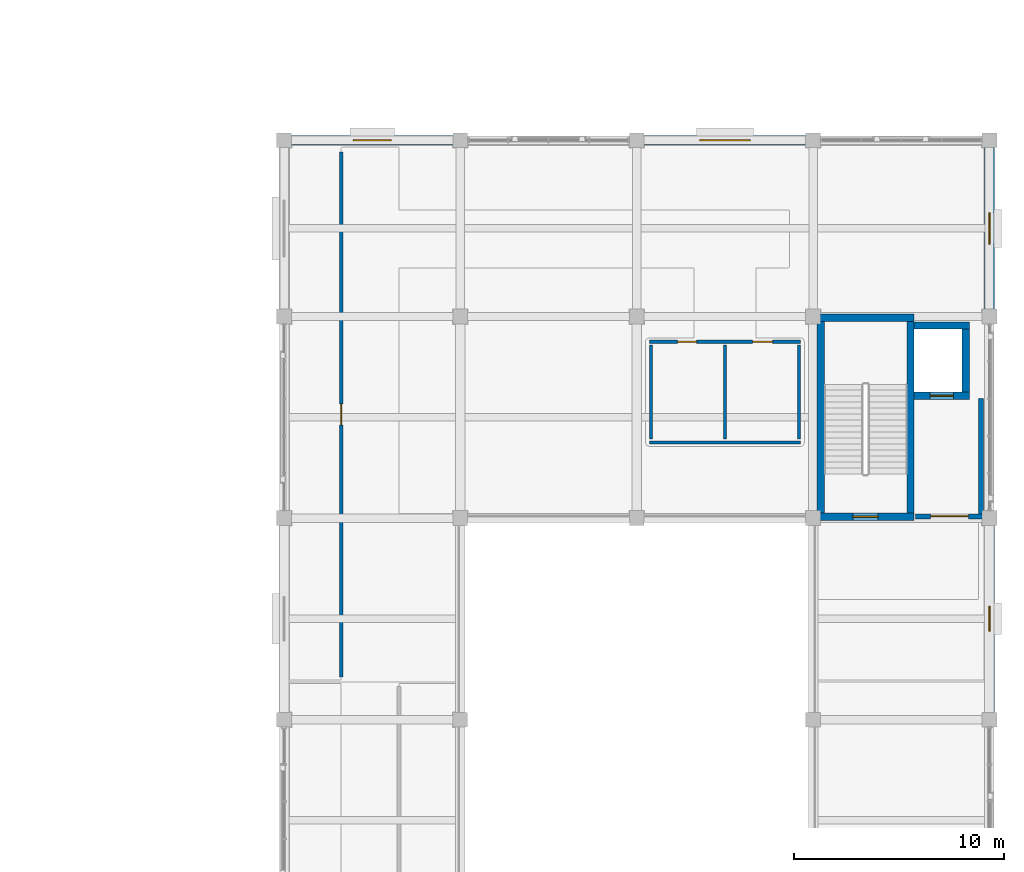
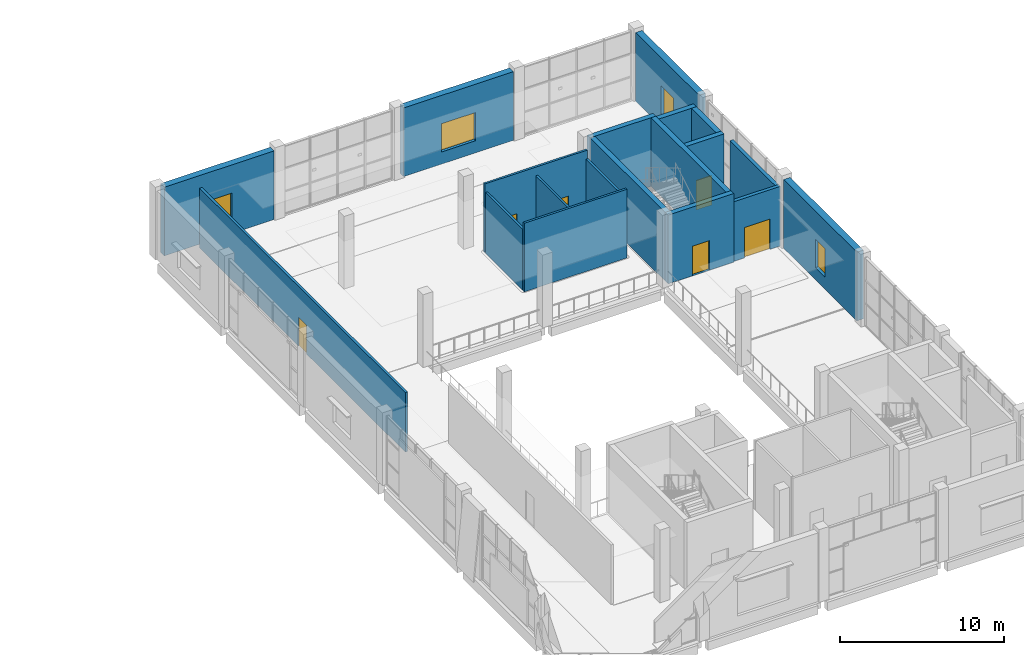
# One storey, part 51 of 72: 19 walls, 6 doors, 4 windows, 10 openings.
"""IFC4 building model written with IfcOpenShell, lengths in metres."""

from ifc_helpers import new_model, si_unit, direction, frame, frame_2d, origin, place, context, subcontext, project, spatial, rectangle, extrude, material, layer, layer_set, type_object, element, fill, save


model = new_model("IFC4")

# Units and contexts
model_context = context("Model", 3, precision=1e-05, world=origin(), true_north=direction((0.0, 1.0)))
body_context = subcontext(model_context, "Body", "Model", "MODEL_VIEW")
ifc_project = project(units=[si_unit("LENGTHUNIT", "METRE"), si_unit("AREAUNIT", "SQUARE_METRE"), si_unit("VOLUMEUNIT", "CUBIC_METRE"), si_unit("PLANEANGLEUNIT", "RADIAN"), si_unit("MASSUNIT", "GRAM", prefix="KILO")], contexts=[model_context])

# Site, building, storey
site_placement = place(None, origin())
site = spatial("IfcSite", under=ifc_project, at=site_placement, CompositionType="ELEMENT")
building_placement = place(site_placement, origin())
building = spatial("IfcBuilding", under=site, at=building_placement, Name="Shalvenor Court Art Gallery", CompositionType="ELEMENT")
storey_placement = place(building_placement, frame((0.0, 0.0, 11.39990234375)))
storey = spatial("IfcBuildingStorey", under=building, at=storey_placement, Name="L02", CompositionType="ELEMENT", Elevation=11.39990234375)

# Walls
ifc_material_1 = material(Name="Concrete C40/50", Category="concrete")
ifc_layer_1 = layer(ifc_material_1, 0.35009765625, Name="Concrete C40/50")
ifc_layer_set_1 = layer_set([ifc_layer_1], Name="Concrete C40/50")
wall_type_1 = type_object("IfcWallType", Name="CW-W1", PredefinedType="SHEAR", material=ifc_layer_set_1)
wall_1_placement = place(storey_placement, frame((168.18798828125, 88.737060546875, 0.0), z_axis=(0.0, 0.0, 1.0), x_axis=(1.0, 0.0, 0.0)))
element("IfcWall", 1, at=wall_1_placement, inside=storey, type_object=wall_type_1, Name="L02 C1 Stair Core Shear Wall N", PredefinedType="SHEAR", context=body_context, shape_type="SweptSolid", body=[
    extrude(rectangle(XDim=4.6240234375, YDim=0.35009765625, at=frame_2d((2.31201171875, 0.0))), origin(), (0.0, 0.0, 1.0), 5.10009765625),
])
wall_2_placement = place(storey_placement, frame((172.636962890625, 88.56201171875, 0.0), z_axis=(0.0, 0.0, 1.0), x_axis=(0.0, -1.0, 0.0)))
element("IfcWall", 2, at=wall_2_placement, inside=storey, type_object=wall_type_1, Name="L02 C1 Stair Core Shear Wall E", PredefinedType="SHEAR", context=body_context, shape_type="SweptSolid", body=[
    extrude(rectangle(XDim=9.1240234375, YDim=0.35009765625, at=frame_2d((4.56201171875, 0.0))), origin(), (0.0, 0.0, 1.0), 5.10009765625),
])

# Wall, opening, door
wall_3_placement = place(storey_placement, frame((172.81201171875, 79.262939453125, 0.0), z_axis=(0.0, 0.0, 1.0), x_axis=(-1.0, 0.0, 0.0)))
wall_3 = element("IfcWall", 3, at=wall_3_placement, inside=storey, type_object=wall_type_1, Name="L02 C1 Stair Core Shear Wall S", PredefinedType="SHEAR", context=body_context, shape_type="SweptSolid", body=[
    extrude(rectangle(XDim=4.6240234375, YDim=0.35009765625, at=frame_2d((2.31201171875, 0.0))), origin(), (0.0, 0.0, 1.0), 5.10009765625),
])
opening_1_placement = place(wall_3_placement, frame((1.7119140625, 0.0, 0.0)))
opening_1 = element("IfcOpeningElement", 4, at=opening_1_placement, cuts=wall_3, Name="Opening FD-01", PredefinedType="OPENING", context=body_context, shape_type="SweptSolid", body=[
    extrude(rectangle(XDim=1.199951171875, YDim=2.199951171875, at=frame_2d((0.60009765625, 1.10009765625))), frame((0.0, 0.18505859375, 0.0), z_axis=(0.0, -1.0, 0.0), x_axis=(1.0, 0.0, 0.0)), (0.0, 0.0, 1.0), 0.3701171875),
])
ifc_material_2 = material(Name="Fire-rated steel stair doorset", Category="steel")
door_type_1 = type_object("IfcDoorType", Name="FD-01", OperationType="NOTDEFINED", PredefinedType="DOOR", material=ifc_material_2)
door_1_placement = place(opening_1_placement, origin())
door_1 = element("IfcDoor", 5, at=door_1_placement, inside=storey, type_object=door_type_1, Name="DR-ST-L02-C1 L02 ST-01 Fire Stair Door", OperationType="SINGLE_SWING_LEFT", OverallHeight=2.199951171875, OverallWidth=1.199951171875, PredefinedType="DOOR", context=body_context, shape_type="SweptSolid", body=[
    extrude(rectangle(XDim=1.199951171875, YDim=2.199951171875, at=frame_2d((0.60009765625, 1.10009765625))), frame((0.0, 0.02490234375, 0.0), z_axis=(0.0, -1.0, 0.0), x_axis=(1.0, 0.0, 0.0)), (0.0, 0.0, 1.0), 0.050048828125),
])
fill(opening_1, door_1)

# Walls
wall_4_placement = place(storey_placement, frame((168.363037109375, 79.43798828125, 0.0), z_axis=(0.0, 0.0, 1.0), x_axis=(0.0, 1.0, 0.0)))
element("IfcWall", 6, at=wall_4_placement, inside=storey, type_object=wall_type_1, Name="L02 C1 Stair Core Shear Wall W", PredefinedType="SHEAR", context=body_context, shape_type="SweptSolid", body=[
    extrude(rectangle(XDim=9.1240234375, YDim=0.35009765625, at=frame_2d((4.56201171875, 0.0))), origin(), (0.0, 0.0, 1.0), 5.10009765625),
])
wall_5_placement = place(storey_placement, frame((172.81201171875, 88.375, 0.0), z_axis=(0.0, 0.0, 1.0), x_axis=(1.0, 0.0, 0.0)))
element("IfcWall", 7, at=wall_5_placement, inside=storey, type_object=wall_type_1, Name="L02 FL-01 Lift Shaft Wall N", PredefinedType="SHEAR", context=body_context, shape_type="SweptSolid", body=[
    extrude(rectangle(XDim=2.637939453125, YDim=0.35009765625, at=frame_2d((1.31884765625, 0.0))), origin(), (0.0, 0.0, 1.0), 5.10009765625),
])
wall_6_placement = place(storey_placement, frame((175.27490234375, 88.199951171875, 0.0), z_axis=(0.0, 0.0, 1.0), x_axis=(0.0, -1.0, 0.0)))
element("IfcWall", 8, at=wall_6_placement, inside=storey, type_object=wall_type_1, Name="L02 FL-01 Lift Shaft Wall E", PredefinedType="SHEAR", context=body_context, shape_type="SweptSolid", body=[
    extrude(rectangle(XDim=3.0, YDim=0.35009765625, at=frame_2d((1.5, 0.0))), origin(), (0.0, 0.0, 1.0), 5.10009765625),
])

# Wall, opening, door
wall_7_placement = place(storey_placement, frame((175.449951171875, 85.02490234375, 0.0), z_axis=(0.0, 0.0, 1.0), x_axis=(-1.0, 0.0, 0.0)))
wall_7 = element("IfcWall", 9, at=wall_7_placement, inside=storey, type_object=wall_type_1, Name="L02 FL-01 Lift Shaft Wall S", PredefinedType="SHEAR", context=body_context, shape_type="SweptSolid", body=[
    extrude(rectangle(XDim=2.637939453125, YDim=0.35009765625, at=frame_2d((1.31884765625, 0.0))), origin(), (0.0, 0.0, 1.0), 5.10009765625),
])
opening_2_placement = place(wall_7_placement, frame((0.76904296875, 0.0, 0.0)))
opening_2 = element("IfcOpeningElement", 10, at=opening_2_placement, cuts=wall_7, Name="Opening LD-01", PredefinedType="OPENING", context=body_context, shape_type="SweptSolid", body=[
    extrude(rectangle(XDim=1.10009765625, YDim=2.199951171875, at=frame_2d((0.550048828125, 1.10009765625))), frame((0.0, 0.18505859375, 0.0), z_axis=(0.0, -1.0, 0.0), x_axis=(1.0, 0.0, 0.0)), (0.0, 0.0, 1.0), 0.3701171875),
])
ifc_material_3 = material(Name="Stainless steel firefighting lift sliding landing door", Category="steel")
door_type_2 = type_object("IfcDoorType", Name="LD-01", OperationType="NOTDEFINED", PredefinedType="DOOR", material=ifc_material_3)
door_2_placement = place(opening_2_placement, origin())
door_2 = element("IfcDoor", 11, at=door_2_placement, inside=storey, type_object=door_type_2, Name="DR-LD-L02-FL-01 L02 FL-01 Lift Landing Sliding Door", OperationType="DOUBLE_DOOR_SLIDING", OverallHeight=2.199951171875, OverallWidth=1.10009765625, PredefinedType="DOOR", context=body_context, shape_type="SweptSolid", body=[
    extrude(rectangle(XDim=1.10009765625, YDim=2.199951171875, at=frame_2d((0.550048828125, 1.10009765625))), frame((0.0, 0.02490234375, 0.0), z_axis=(0.0, -1.0, 0.0), x_axis=(1.0, 0.0, 0.0)), (0.0, 0.0, 1.0), 0.050048828125),
])
fill(opening_2, door_2)

# Wall, opening, window
ifc_material_4 = material(Name="Concrete C40/50", Category="concrete")
ifc_layer_2 = layer(ifc_material_4, 0.4599609375, Name="Concrete C40/50")
ifc_layer_set_2 = layer_set([ifc_layer_2], Name="Concrete C40/50")
wall_type_2 = type_object("IfcWallType", Name="EW-01", PredefinedType="SOLIDWALL", material=ifc_layer_set_2)
wall_8_placement = place(storey_placement, frame((143.14990234375, 97.199951171875, 0.0), z_axis=(0.0, 0.0, 1.0), x_axis=(1.0, 0.0, 0.0)))
wall_8 = element("IfcWall", 12, at=wall_8_placement, inside=storey, type_object=wall_type_2, Name="L02 V1 Exterior Wall WL-L02-0062", PredefinedType="SOLIDWALL", context=body_context, shape_type="SweptSolid", body=[
    extrude(rectangle(XDim=7.7001953125, YDim=0.4599609375, at=frame_2d((3.85009765625, 0.0))), origin(), (0.0, 0.0, 1.0), 5.10009765625),
])
opening_3_placement = place(wall_8_placement, frame((2.949951171875, 0.0, 0.89990234375)))
opening_3 = element("IfcOpeningElement", 13, at=opening_3_placement, cuts=wall_8, Name="Opening WN-05", PredefinedType="OPENING", context=body_context, shape_type="SweptSolid", body=[
    extrude(rectangle(XDim=1.800048828125, YDim=2.10009765625, at=frame_2d((0.89990234375, 1.050048828125))), frame((0.0, 0.239990234375, 0.0), z_axis=(0.0, -1.0, 0.0), x_axis=(1.0, 0.0, 0.0)), (0.0, 0.0, 1.0), 0.47998046875),
])
ifc_material_5 = material(Name="Low-iron solar-control double IGU", Category="glass")
window_type_1 = type_object("IfcWindowType", Name="WN-05", PartitioningType="SINGLE_PANEL", PredefinedType="WINDOW", material=ifc_material_5)
window_1_placement = place(opening_3_placement, origin())
window_1 = element("IfcWindow", 14, at=window_1_placement, inside=storey, type_object=window_type_1, Name="L02 Window WIN-L02-0005", OverallHeight=2.10009765625, OverallWidth=1.800048828125, PartitioningType="SINGLE_PANEL", PredefinedType="WINDOW", context=body_context, shape_type="SweptSolid", body=[
    extrude(rectangle(XDim=1.800048828125, YDim=2.10009765625, at=frame_2d((0.89990234375, 1.050048828125))), frame((0.0, 0.030029296875, 0.0), z_axis=(0.0, -1.0, 0.0), x_axis=(1.0, 0.0, 0.0)), (0.0, 0.0, 1.0), 0.06005859375),
])
fill(opening_3, window_1)

wall_9_placement = place(storey_placement, frame((159.949951171875, 97.199951171875, 0.0), z_axis=(0.0, 0.0, 1.0), x_axis=(1.0, 0.0, 0.0)))
wall_9 = element("IfcWall", 15, at=wall_9_placement, inside=storey, type_object=wall_type_2, Name="L02 V1 Exterior Wall WL-L02-0063", PredefinedType="SOLIDWALL", context=body_context, shape_type="SweptSolid", body=[
    extrude(rectangle(XDim=7.699951171875, YDim=0.4599609375, at=frame_2d((3.85009765625, 0.0))), origin(), (0.0, 0.0, 1.0), 5.10009765625),
])
opening_4_placement = place(wall_9_placement, frame((2.64990234375, 0.0, 0.89990234375)))
opening_4 = element("IfcOpeningElement", 16, at=opening_4_placement, cuts=wall_9, Name="Opening WN-06", PredefinedType="OPENING", context=body_context, shape_type="SweptSolid", body=[
    extrude(rectangle(XDim=2.39990234375, YDim=2.10009765625, at=frame_2d((1.199951171875, 1.050048828125))), frame((0.0, 0.239990234375, 0.0), z_axis=(0.0, -1.0, 0.0), x_axis=(1.0, 0.0, 0.0)), (0.0, 0.0, 1.0), 0.47998046875),
])
ifc_material_6 = material(Name="Low-iron solar-control double IGU", Category="glass")
window_type_2 = type_object("IfcWindowType", Name="WN-06", PartitioningType="SINGLE_PANEL", PredefinedType="WINDOW", material=ifc_material_6)
window_2_placement = place(opening_4_placement, origin())
window_2 = element("IfcWindow", 17, at=window_2_placement, inside=storey, type_object=window_type_2, Name="L02 Window WIN-L02-0006", OverallHeight=2.10009765625, OverallWidth=2.39990234375, PartitioningType="SINGLE_PANEL", PredefinedType="WINDOW", context=body_context, shape_type="SweptSolid", body=[
    extrude(rectangle(XDim=2.39990234375, YDim=2.10009765625, at=frame_2d((1.199951171875, 1.050048828125))), frame((0.0, 0.030029296875, 0.0), z_axis=(0.0, -1.0, 0.0), x_axis=(1.0, 0.0, 0.0)), (0.0, 0.0, 1.0), 0.06005859375),
])
fill(opening_4, window_2)

wall_10_placement = place(storey_placement, frame((176.39990234375, 96.85009765625, 0.0), z_axis=(0.0, 0.0, 1.0), x_axis=(0.0, -1.0, 0.0)))
wall_10 = element("IfcWall", 18, at=wall_10_placement, inside=storey, type_object=wall_type_2, Name="L02 V1 Exterior Wall WL-L02-0064", PredefinedType="SOLIDWALL", context=body_context, shape_type="SweptSolid", body=[
    extrude(rectangle(XDim=7.7001953125, YDim=0.4599609375, at=frame_2d((3.85009765625, 0.0))), origin(), (0.0, 0.0, 1.0), 5.10009765625),
])
opening_5_placement = place(wall_10_placement, frame((3.10009765625, 0.0, 0.89990234375)))
opening_5 = element("IfcOpeningElement", 19, at=opening_5_placement, cuts=wall_10, Name="Opening WN-07", PredefinedType="OPENING", context=body_context, shape_type="SweptSolid", body=[
    extrude(rectangle(XDim=1.5, YDim=2.10009765625, at=frame_2d((0.75, 1.050048828125))), frame((0.0, 0.239990234375, 0.0), z_axis=(0.0, -1.0, 0.0), x_axis=(1.0, 0.0, 0.0)), (0.0, 0.0, 1.0), 0.47998046875),
])
ifc_material_7 = material(Name="Low-iron solar-control double IGU", Category="glass")
window_type_3 = type_object("IfcWindowType", Name="WN-07", PartitioningType="SINGLE_PANEL", PredefinedType="WINDOW", material=ifc_material_7)
window_3_placement = place(opening_5_placement, origin())
window_3 = element("IfcWindow", 20, at=window_3_placement, inside=storey, type_object=window_type_3, Name="L02 Window WIN-L02-0007", OverallHeight=2.10009765625, OverallWidth=1.5, PartitioningType="SINGLE_PANEL", PredefinedType="WINDOW", context=body_context, shape_type="SweptSolid", body=[
    extrude(rectangle(XDim=1.5, YDim=2.10009765625, at=frame_2d((0.75, 1.050048828125))), frame((0.0, 0.030029296875, 0.0), z_axis=(0.0, -1.0, 0.0), x_axis=(1.0, 0.0, 0.0)), (0.0, 0.0, 1.0), 0.06005859375),
])
fill(opening_5, window_3)

wall_11_placement = place(storey_placement, frame((176.39990234375, 78.85009765625, 0.0), z_axis=(0.0, 0.0, 1.0), x_axis=(0.0, -1.0, 0.0)))
wall_11 = element("IfcWall", 21, at=wall_11_placement, inside=storey, type_object=wall_type_2, Name="L02 V1 Exterior Wall WL-L02-0065", PredefinedType="SOLIDWALL", context=body_context, shape_type="SweptSolid", body=[
    extrude(rectangle(XDim=8.900146484375, YDim=0.4599609375, at=frame_2d((4.4501953125, 0.0))), origin(), (0.0, 0.0, 1.0), 5.10009765625),
])
opening_6_placement = place(wall_11_placement, frame((3.85009765625, 0.0, 0.89990234375)))
opening_6 = element("IfcOpeningElement", 22, at=opening_6_placement, cuts=wall_11, Name="Opening WN-08", PredefinedType="OPENING", context=body_context, shape_type="SweptSolid", body=[
    extrude(rectangle(XDim=1.199951171875, YDim=2.10009765625, at=frame_2d((0.60009765625, 1.050048828125))), frame((0.0, 0.239990234375, 0.0), z_axis=(0.0, -1.0, 0.0), x_axis=(1.0, 0.0, 0.0)), (0.0, 0.0, 1.0), 0.47998046875),
])
ifc_material_8 = material(Name="Low-iron solar-control double IGU", Category="glass")
window_type_4 = type_object("IfcWindowType", Name="WN-08", PartitioningType="SINGLE_PANEL", PredefinedType="WINDOW", material=ifc_material_8)
window_4_placement = place(opening_6_placement, origin())
window_4 = element("IfcWindow", 23, at=window_4_placement, inside=storey, type_object=window_type_4, Name="L02 Window WIN-L02-0008", OverallHeight=2.10009765625, OverallWidth=1.199951171875, PartitioningType="SINGLE_PANEL", PredefinedType="WINDOW", context=body_context, shape_type="SweptSolid", body=[
    extrude(rectangle(XDim=1.199951171875, YDim=2.10009765625, at=frame_2d((0.60009765625, 1.050048828125))), frame((0.0, 0.030029296875, 0.0), z_axis=(0.0, -1.0, 0.0), x_axis=(1.0, 0.0, 0.0)), (0.0, 0.0, 1.0), 0.06005859375),
])
fill(opening_6, window_4)

# Wall
ifc_material_9 = material(Name="Concrete blockwork fire wall", Category="masonry")
ifc_layer_3 = layer(ifc_material_9, 0.239990234375, Name="Concrete blockwork fire wall")
ifc_layer_set_3 = layer_set([ifc_layer_3], Name="Concrete blockwork fire wall")
wall_type_3 = type_object("IfcWallType", Name="FW-01", PredefinedType="PARTITIONING", material=ifc_layer_set_3)
wall_12_placement = place(storey_placement, frame((176.0, 84.89990234375, 0.0), z_axis=(0.0, 0.0, 1.0), x_axis=(0.0, -1.0, 0.0)))
element("IfcWall", 24, at=wall_12_placement, inside=storey, type_object=wall_type_3, Name="L02 C1 Firefighting Lobby Wall E", PredefinedType="PARTITIONING", context=body_context, shape_type="SweptSolid", body=[
    extrude(rectangle(XDim=5.5, YDim=0.239990234375, at=frame_2d((2.75, 0.0))), origin(), (0.0, 0.0, 1.0), 4.425048828125),
])

# Wall, opening, door
wall_13_placement = place(storey_placement, frame((176.1201171875, 79.280029296875, 0.0), z_axis=(0.0, 0.0, 1.0), x_axis=(-1.0, 0.0, 0.0)))
wall_13 = element("IfcWall", 25, at=wall_13_placement, inside=storey, type_object=wall_type_3, Name="L02 C1 Firefighting Lobby Wall S", PredefinedType="PARTITIONING", context=body_context, shape_type="SweptSolid", body=[
    extrude(rectangle(XDim=3.25, YDim=0.239990234375, at=frame_2d((1.625, 0.0))), origin(), (0.0, 0.0, 1.0), 4.425048828125),
])
opening_7_placement = place(wall_13_placement, frame((0.72509765625, 0.0, 0.0)))
opening_7 = element("IfcOpeningElement", 26, at=opening_7_placement, cuts=wall_13, Name="Opening FD-02", PredefinedType="OPENING", context=body_context, shape_type="SweptSolid", body=[
    extrude(rectangle(XDim=1.800048828125, YDim=2.25, at=frame_2d((0.89990234375, 1.125))), frame((0.0, 0.1298828125, 0.0), z_axis=(0.0, -1.0, 0.0), x_axis=(1.0, 0.0, 0.0)), (0.0, 0.0, 1.0), 0.260009765625),
])
ifc_material_10 = material(Name="Fire-rated double lobby doorset", Category="steel")
door_type_3 = type_object("IfcDoorType", Name="FD-02", OperationType="NOTDEFINED", PredefinedType="DOOR", material=ifc_material_10)
door_3_placement = place(opening_7_placement, origin())
door_3 = element("IfcDoor", 27, at=door_3_placement, inside=storey, type_object=door_type_3, Name="DR-FFL-L02-C1 L02 C1 Firefighting Lobby Double Door", OperationType="DOUBLE_DOOR_SINGLE_SWING", OverallHeight=2.25, OverallWidth=1.800048828125, PredefinedType="DOOR", context=body_context, shape_type="SweptSolid", body=[
    extrude(rectangle(XDim=1.800048828125, YDim=2.25, at=frame_2d((0.89990234375, 1.125))), frame((0.0, 0.02490234375, 0.0), z_axis=(0.0, -1.0, 0.0), x_axis=(1.0, 0.0, 0.0)), (0.0, 0.0, 1.0), 0.050048828125),
])
fill(opening_7, door_3)

ifc_material_11 = material(Name="Double-stud acoustic gallery partition", Category="other")
ifc_layer_4 = layer(ifc_material_11, 0.1650390625, Name="Double-stud acoustic gallery partition")
ifc_layer_set_4 = layer_set([ifc_layer_4], Name="Double-stud acoustic gallery partition")
wall_type_4 = type_object("IfcWallType", Name="PT-02", PredefinedType="PARTITIONING", material=ifc_layer_set_4)
wall_14_placement = place(storey_placement, frame((145.52001953125, 96.64990234375, 0.0), z_axis=(0.0, 0.0, 1.0), x_axis=(0.0, -1.0, 0.0)))
wall_14 = element("IfcWall", 28, at=wall_14_placement, inside=storey, type_object=wall_type_4, Name="L02 Curatorial Research Library Partition 642", PredefinedType="PARTITIONING", context=body_context, shape_type="SweptSolid", body=[
    extrude(rectangle(XDim=25.02001953125, YDim=0.1650390625, at=frame_2d((12.510009765625, 0.0))), origin(), (0.0, 0.0, 1.0), 4.425048828125),
])
opening_8_placement = place(wall_14_placement, frame((12.010009765625, 0.0, 0.0)))
opening_8 = element("IfcOpeningElement", 29, at=opening_8_placement, cuts=wall_14, Name="Opening ID-05", PredefinedType="OPENING", context=body_context, shape_type="SweptSolid", body=[
    extrude(rectangle(XDim=1.0, YDim=2.14990234375, at=frame_2d((0.5, 1.074951171875))), frame((0.0, 0.092529296875, 0.0), z_axis=(0.0, -1.0, 0.0), x_axis=(1.0, 0.0, 0.0)), (0.0, 0.0, 1.0), 0.18505859375),
])
ifc_material_12 = material(Name="Timber office single doorset", Category="wood")
door_type_4 = type_object("IfcDoorType", Name="ID-05", OperationType="NOTDEFINED", PredefinedType="DOOR", material=ifc_material_12)
door_4_placement = place(opening_8_placement, origin())
door_4 = element("IfcDoor", 30, at=door_4_placement, inside=storey, type_object=door_type_4, Name="DR-RM-L02-0173 L02 Curatorial Research Library Door", OperationType="SINGLE_SWING_LEFT", OverallHeight=2.14990234375, OverallWidth=1.0, PredefinedType="DOOR", context=body_context, shape_type="SweptSolid", body=[
    extrude(rectangle(XDim=1.0, YDim=2.14990234375, at=frame_2d((0.5, 1.074951171875))), frame((0.0, 0.02490234375, 0.0), z_axis=(0.0, -1.0, 0.0), x_axis=(1.0, 0.0, 0.0)), (0.0, 0.0, 1.0), 0.050048828125),
])
fill(opening_8, door_4)

# Wall, openings, doors
ifc_material_13 = material(Name="Moisture-resistant sanitary partition", Category="other")
ifc_layer_5 = layer(ifc_material_13, 0.14990234375, Name="Moisture-resistant sanitary partition")
ifc_layer_set_5 = layer_set([ifc_layer_5], Name="Moisture-resistant sanitary partition")
wall_type_5 = type_object("IfcWallType", Name="PT-03", PredefinedType="PARTITIONING", material=ifc_layer_set_5)
wall_15_placement = place(storey_placement, frame((160.199951171875, 87.60009765625, 0.0), z_axis=(0.0, 0.0, 1.0), x_axis=(1.0, 0.0, 0.0)))
wall_15 = element("IfcWall", 31, at=wall_15_placement, inside=storey, type_object=wall_type_5, Name="L02 C1 Restroom Front Partition", PredefinedType="PARTITIONING", context=body_context, shape_type="SweptSolid", body=[
    extrude(rectangle(XDim=7.199951171875, YDim=0.14990234375, at=frame_2d((3.60009765625, 0.0))), origin(), (0.0, 0.0, 1.0), 5.10009765625),
])
opening_9_placement = place(wall_15_placement, frame((1.35009765625, 0.0, 0.0)))
opening_9 = element("IfcOpeningElement", 32, at=opening_9_placement, cuts=wall_15, Name="Opening ID-07", PredefinedType="OPENING", context=body_context, shape_type="SweptSolid", body=[
    extrude(rectangle(XDim=0.89990234375, YDim=2.10009765625, at=frame_2d((0.449951171875, 1.050048828125))), frame((0.0, 0.0849609375, 0.0), z_axis=(0.0, -1.0, 0.0), x_axis=(1.0, 0.0, 0.0)), (0.0, 0.0, 1.0), 0.169921875),
])
opening_10_placement = place(wall_15_placement, frame((4.925048828125, 0.0, 0.0)))
opening_10 = element("IfcOpeningElement", 33, at=opening_10_placement, cuts=wall_15, Name="Opening ID-06", PredefinedType="OPENING", context=body_context, shape_type="SweptSolid", body=[
    extrude(rectangle(XDim=0.949951171875, YDim=2.14990234375, at=frame_2d((0.47509765625, 1.074951171875))), frame((0.0, 0.0849609375, 0.0), z_axis=(0.0, -1.0, 0.0), x_axis=(1.0, 0.0, 0.0)), (0.0, 0.0, 1.0), 0.169921875),
])
ifc_material_14 = material(Name="Accessible restroom doorset", Category="steel")
door_type_5 = type_object("IfcDoorType", Name="ID-06", OperationType="NOTDEFINED", PredefinedType="DOOR", material=ifc_material_14)
door_5_placement = place(opening_10_placement, origin())
door_5 = element("IfcDoor", 34, at=door_5_placement, inside=storey, type_object=door_type_5, Name="DR-AWC-L02-C1-2 L02 C1 Accessible Restroom Door", OperationType="SINGLE_SWING_LEFT", OverallHeight=2.14990234375, OverallWidth=0.949951171875, PredefinedType="DOOR", context=body_context, shape_type="SweptSolid", body=[
    extrude(rectangle(XDim=0.949951171875, YDim=2.14990234375, at=frame_2d((0.47509765625, 1.074951171875))), frame((0.0, 0.02490234375, 0.0), z_axis=(0.0, -1.0, 0.0), x_axis=(1.0, 0.0, 0.0)), (0.0, 0.0, 1.0), 0.050048828125),
])
fill(opening_10, door_5)
ifc_material_15 = material(Name="Restroom timber doorset", Category="wood")
door_type_6 = type_object("IfcDoorType", Name="ID-07", OperationType="NOTDEFINED", PredefinedType="DOOR", material=ifc_material_15)
door_6_placement = place(opening_9_placement, origin())
door_6 = element("IfcDoor", 35, at=door_6_placement, inside=storey, type_object=door_type_6, Name="DR-WC-L02-C1-1 L02 C1 Public Restroom Door", OperationType="SINGLE_SWING_RIGHT", OverallHeight=2.10009765625, OverallWidth=0.89990234375, PredefinedType="DOOR", context=body_context, shape_type="SweptSolid", body=[
    extrude(rectangle(XDim=0.89990234375, YDim=2.10009765625, at=frame_2d((0.449951171875, 1.050048828125))), frame((0.0, 0.02490234375, 0.0), z_axis=(0.0, -1.0, 0.0), x_axis=(1.0, 0.0, 0.0)), (0.0, 0.0, 1.0), 0.050048828125),
])
fill(opening_9, door_6)

# Walls
wall_16_placement = place(storey_placement, frame((160.199951171875, 82.800048828125, 0.0), z_axis=(0.0, 0.0, 1.0), x_axis=(1.0, 0.0, 0.0)))
element("IfcWall", 36, at=wall_16_placement, inside=storey, type_object=wall_type_5, Name="L02 C1 Restroom Back Partition", PredefinedType="PARTITIONING", context=body_context, shape_type="SweptSolid", body=[
    extrude(rectangle(XDim=7.199951171875, YDim=0.14990234375, at=frame_2d((3.60009765625, 0.0))), origin(), (0.0, 0.0, 1.0), 5.10009765625),
])
for number, where, z_axis, x_axis, name in (
    (37, (160.27490234375, 82.9599609375, 0.0), (0.0, 0.0, 1.0), (0.0, 1.0, 0.0), "L02 C1 Restroom Partition L"),
    (38, (163.800048828125, 82.9599609375, 0.0), (0.0, 0.0, 1.0), (0.0, 1.0, 0.0), "L02 C1 Restroom Partition M"),
    (39, (167.324951171875, 82.9599609375, 0.0), (0.0, 0.0, 1.0), (0.0, 1.0, 0.0), "L02 C1 Restroom Partition R"),
):
    element("IfcWall", number, at=place(storey_placement, frame(where, z_axis=z_axis, x_axis=x_axis)), inside=storey, type_object=wall_type_5, Name=name, PredefinedType="PARTITIONING", context=body_context, shape_type="SweptSolid", body=[
        extrude(rectangle(XDim=4.47998046875, YDim=0.14990234375, at=frame_2d((2.239990234375, 0.0))), origin(), (0.0, 0.0, 1.0), 4.525146484375),
    ])

save(model, "model.ifc")
